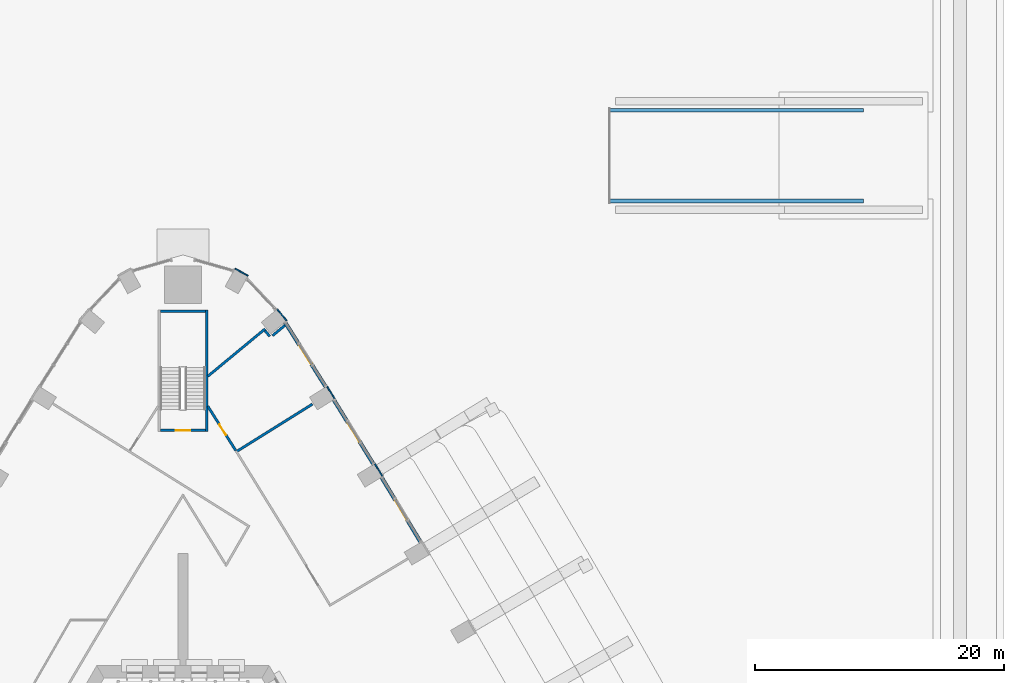
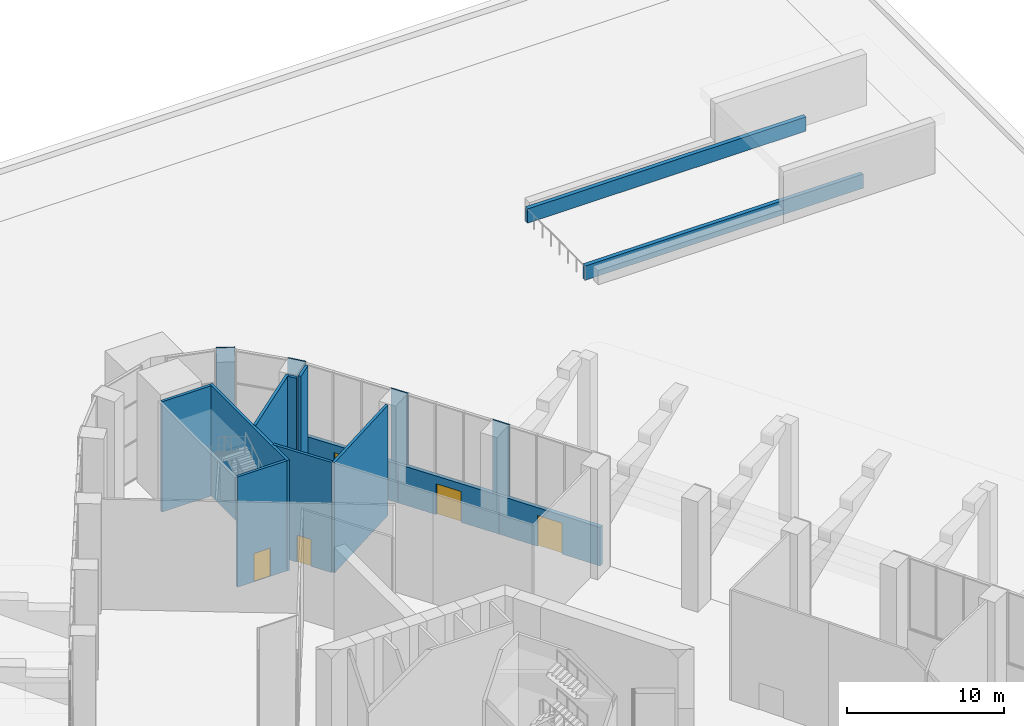
# One storey, part 20 of 36: 17 walls, 5 doors, 5 openings.
"""IFC4 building model written with IfcOpenShell, lengths in metres."""

from ifc_helpers import new_model, si_unit, direction, frame, frame_2d, origin, place, context, subcontext, project, spatial, rectangle, extrude, material, layer, layer_set, type_object, element, fill, save


model = new_model("IFC4")

# Units and contexts
model_context = context("Model", 3, precision=1e-05, world=origin(), true_north=direction((0.0, 1.0)))
body_context = subcontext(model_context, "Body", "Model", "MODEL_VIEW")
ifc_project = project(units=[si_unit("LENGTHUNIT", "METRE"), si_unit("AREAUNIT", "SQUARE_METRE"), si_unit("VOLUMEUNIT", "CUBIC_METRE"), si_unit("PLANEANGLEUNIT", "RADIAN"), si_unit("MASSUNIT", "GRAM", prefix="KILO")], contexts=[model_context])

# Site, building, storey
site_placement = place(None, origin())
site = spatial("IfcSite", under=ifc_project, at=site_placement, CompositionType="ELEMENT")
building_placement = place(site_placement, origin())
building = spatial("IfcBuilding", under=site, at=building_placement, Name="Entoto Arch Interchange Tower", CompositionType="ELEMENT")
storey_placement = place(building_placement, origin())
storey = spatial("IfcBuildingStorey", under=building, at=storey_placement, Name="L00", CompositionType="ELEMENT", Elevation=0.0)

# Walls
ifc_material_1 = material(Name="Concrete C40/50", Category="concrete")
ifc_layer_1 = layer(ifc_material_1, 0.300048828125)
ifc_layer_set_1 = layer_set([ifc_layer_1], Name="Concrete C40/50")
wall_type_1 = type_object("IfcWallType", Name="Car ramp kerb wall 300 C40/50", PredefinedType="SOLIDWALL", material=ifc_layer_set_1)
for number, where, z_axis, x_axis, name in (
    (1, (34.300048828125, 51.85009765625, 0.0), (0.0, 0.0, 1.0), (1.0, 0.0, 0.0), "Car ramp R1 parapet wall"),
    (2, (34.300048828125, 59.14990234375, 0.0), (0.0, 0.0, 1.0), (1.0, 0.0, 0.0), "Car ramp R1 parapet wall"),
):
    element("IfcWall", number, at=place(storey_placement, frame(where, z_axis=z_axis, x_axis=x_axis)), inside=storey, type_object=wall_type_1, Name=name, PredefinedType="SOLIDWALL", context=body_context, shape_type="SweptSolid", body=[
        extrude(rectangle(XDim=20.39990234375, YDim=0.300048828125, at=frame_2d((10.199951171875, 0.0))), origin(), (0.0, 0.0, 1.0), 1.10009765625),
    ])
ifc_material_2 = material(Name="Gypsum board partition on steel studs", Category="steel")
ifc_layer_2 = layer(ifc_material_2, 0.199951171875)
ifc_layer_set_2 = layer_set([ifc_layer_2], Name="Gypsum board partition on steel studs")
wall_type_2 = type_object("IfcWallType", Name="PARTITION 200", PredefinedType="PARTITIONING", material=ifc_layer_set_2)
wall_1_placement = place(storey_placement, frame((4.277099609375, 31.68603515625, 0.0), z_axis=(0.0, 0.0, 1.0), x_axis=(0.84795274353, 0.530071829793, 0.0)))
element("IfcWall", 3, at=wall_1_placement, inside=storey, type_object=wall_type_2, Name="wall:L00:p062", PredefinedType="PARTITIONING", context=body_context, shape_type="SweptSolid", body=[
    extrude(rectangle(XDim=7.2255859375, YDim=0.199951171875, at=frame_2d((3.61279296875, 0.0))), origin(), (0.0, 0.0, 1.0), 8.550048828125),
])
wall_2_placement = place(storey_placement, frame((2.0, 37.758056640625, 0.0), z_axis=(0.0, 0.0, 1.0), x_axis=(0.7702988792, 0.637683022122, 0.0)))
element("IfcWall", 4, at=wall_2_placement, inside=storey, type_object=wall_type_2, Name="wall:L00:p066", PredefinedType="PARTITIONING", context=body_context, shape_type="SweptSolid", body=[
    extrude(rectangle(XDim=5.9794921875, YDim=0.199951171875, at=frame_2d((2.98974609375, 0.0))), origin(), (0.0, 0.0, 1.0), 8.550048828125),
])
wall_3_placement = place(storey_placement, frame((6.593017578125, 41.429931640625, 0.0), z_axis=(0.0, 0.0, 1.0), x_axis=(0.636576557089, -0.771213515808, 0.0)))
element("IfcWall", 5, at=wall_3_placement, inside=storey, type_object=wall_type_2, Name="wall:L00:p067", PredefinedType="PARTITIONING", context=body_context, shape_type="SweptSolid", body=[
    extrude(rectangle(XDim=0.60009765625, YDim=0.199951171875, at=frame_2d((0.300048828125, 0.0))), origin(), (0.0, 0.0, 1.0), 8.550048828125),
])
wall_4_placement = place(storey_placement, frame((7.193115234375, 41.01806640625, 0.0), z_axis=(0.0, 0.0, 1.0), x_axis=(0.77046149962, 0.637486531311, 0.0)))
element("IfcWall", 6, at=wall_4_placement, inside=storey, type_object=wall_type_2, Name="wall:L00:p068", PredefinedType="PARTITIONING", context=body_context, shape_type="SweptSolid", body=[
    extrude(rectangle(XDim=1.29248046875, YDim=0.199951171875, at=frame_2d((0.646240234375, 0.0))), origin(), (0.0, 0.0, 1.0), 8.550048828125),
])

# Wall, opening, door
wall_5_placement = place(storey_placement, frame((4.2451171875, 31.783935546875, 0.0), z_axis=(0.0, 0.0, 1.0), x_axis=(-0.53321613186, 0.845979052178, 0.0)))
wall_5 = element("IfcWall", 7, at=wall_5_placement, inside=storey, type_object=wall_type_2, Name="wall:L00:p069", PredefinedType="PARTITIONING", context=body_context, shape_type="SweptSolid", body=[
    extrude(rectangle(XDim=4.21044921875, YDim=0.199951171875, at=frame_2d((2.105224609375, 0.0))), origin(), (0.0, 0.0, 1.0), 8.550048828125),
])
opening_1_placement = place(wall_5_placement, frame((1.48095703125, 0.0, 0.0)))
opening_1 = element("IfcOpeningElement", 8, at=opening_1_placement, cuts=wall_5, Name="Opening L00-D07", PredefinedType="OPENING", context=body_context, shape_type="SweptSolid", body=[
    extrude(rectangle(XDim=1.0, YDim=2.10009765625, at=frame_2d((0.5, 1.050048828125))), frame((0.0, 0.10986328125, 0.0), z_axis=(0.0, -1.0, 0.0), x_axis=(1.0, 0.0, 0.0)), (0.0, 0.0, 1.0), 0.219970703125),
])
ifc_material_3 = material(Name="Timber door leaf in Steel S235 frame", Category="steel")
door_type_1 = type_object("IfcDoorType", Name="DOOR DS-10 1000x2100", OperationType="SINGLE_SWING_LEFT", PredefinedType="DOOR", material=ifc_material_3)
door_1_placement = place(opening_1_placement, origin())
door_1 = element("IfcDoor", 9, at=door_1_placement, inside=storey, type_object=door_type_1, Name="door:L00:07", OperationType="SINGLE_SWING_LEFT", OverallHeight=2.10009765625, OverallWidth=1.0, PredefinedType="DOOR", context=body_context, shape_type="SweptSolid", body=[
    extrude(rectangle(XDim=1.0, YDim=2.10009765625, at=frame_2d((0.5, 1.050048828125))), frame((0.0, 0.02490234375, 0.0), z_axis=(0.0, -1.0, 0.0), x_axis=(1.0, 0.0, 0.0)), (0.0, 0.0, 1.0), 0.050048828125),
])
fill(opening_1, door_1)

# Wall
ifc_layer_3 = layer(ifc_material_1, 0.199951171875)
ifc_layer_set_3 = layer_set([ifc_layer_3], Name="Concrete C40/50")
wall_type_3 = type_object("IfcWallType", Name="STAIR ENCLOSURE WALL 200", PredefinedType="STANDARD", material=ifc_layer_set_3)
wall_6_placement = place(storey_placement, frame((1.89990234375, 33.300048828125, 0.0), z_axis=(0.0, 0.0, 1.0), x_axis=(0.0, 1.0, 0.0)))
element("IfcWall", 10, at=wall_6_placement, inside=storey, type_object=wall_type_3, Name="Stair wall PST-N left", PredefinedType="STANDARD", context=body_context, shape_type="SweptSolid", body=[
    extrude(rectangle(XDim=9.800048828125, YDim=0.199951171875, at=frame_2d((4.89990234375, 0.0))), origin(), (0.0, 0.0, 1.0), 8.550048828125),
])

# Wall, opening, door
wall_7_placement = place(storey_placement, frame((1.800048828125, 33.39990234375, 0.0), z_axis=(0.0, 0.0, 1.0), x_axis=(-1.0, 0.0, 0.0)))
wall_7 = element("IfcWall", 11, at=wall_7_placement, inside=storey, type_object=wall_type_3, Name="Stair wall PST-N near", PredefinedType="STANDARD", context=body_context, shape_type="SweptSolid", body=[
    extrude(rectangle(XDim=3.60009765625, YDim=0.199951171875, at=frame_2d((1.800048828125, 0.0))), origin(), (0.0, 0.0, 1.0), 8.550048828125),
])
opening_2_placement = place(wall_7_placement, frame((1.199951171875, 0.0, 0.0)))
opening_2 = element("IfcOpeningElement", 12, at=opening_2_placement, cuts=wall_7, Name="Opening SD-PST-N-L00", PredefinedType="OPENING", context=body_context, shape_type="SweptSolid", body=[
    extrude(rectangle(XDim=1.199951171875, YDim=2.199951171875, at=frame_2d((0.60009765625, 1.10009765625))), frame((0.0, 0.10986328125, 0.0), z_axis=(0.0, -1.0, 0.0), x_axis=(1.0, 0.0, 0.0)), (0.0, 0.0, 1.0), 0.219970703125),
])
ifc_material_4 = material(Name="Steel S235", Category="steel")
door_type_2 = type_object("IfcDoorType", Name="STAIR DOOR SD2 1200x2200", OperationType="SINGLE_SWING_LEFT", PredefinedType="DOOR", material=ifc_material_4)
door_2_placement = place(opening_2_placement, origin())
door_2 = element("IfcDoor", 13, at=door_2_placement, inside=storey, type_object=door_type_2, Name="Stair door PST-N L00", OperationType="SINGLE_SWING_LEFT", OverallHeight=2.199951171875, OverallWidth=1.199951171875, PredefinedType="DOOR", context=body_context, shape_type="SweptSolid", body=[
    extrude(rectangle(XDim=1.199951171875, YDim=2.199951171875, at=frame_2d((0.60009765625, 1.10009765625))), frame((0.0, 0.02490234375, 0.0), z_axis=(0.0, -1.0, 0.0), x_axis=(1.0, 0.0, 0.0)), (0.0, 0.0, 1.0), 0.050048828125),
])
fill(opening_2, door_2)

# Wall
wall_8_placement = place(storey_placement, frame((1.800048828125, 43.0, 0.0), z_axis=(0.0, 0.0, 1.0), x_axis=(-1.0, 0.0, 0.0)))
element("IfcWall", 14, at=wall_8_placement, inside=storey, type_object=wall_type_3, Name="Stair wall PST-N far", PredefinedType="STANDARD", context=body_context, shape_type="SweptSolid", body=[
    extrude(rectangle(XDim=3.60009765625, YDim=0.199951171875, at=frame_2d((1.800048828125, 0.0))), origin(), (0.0, 0.0, 1.0), 8.550048828125),
])

# Wall, opening, door
ifc_material_5 = material(Name="Welded tuff (ignimbrite) cladding, warm buff", Category="masonry")
ifc_layer_4 = layer(ifc_material_5, 0.300048828125)
ifc_layer_set_4 = layer_set([ifc_layer_4], Name="Welded tuff (ignimbrite) cladding, warm buff")
wall_type_4 = type_object("IfcWallType", Name="STONE INFILL WALL 300", PredefinedType="STANDARD", material=ifc_layer_set_4)
wall_9_placement = place(storey_placement, frame((15.64404296875, 30.160888671875, 0.0), z_axis=(0.0, 0.0, 1.0), x_axis=(0.516671289426, -0.856183846311, 0.0)))
wall_9 = element("IfcWall", 15, at=wall_9_placement, inside=storey, type_object=wall_type_4, Name="Entrance wall NE-07 L00", PredefinedType="STANDARD", context=body_context, shape_type="SweptSolid", body=[
    extrude(rectangle(XDim=7.32177734375, YDim=0.300048828125, at=frame_2d((3.660888671875, 0.0))), origin(), (0.0, 0.0, 1.0), 3.0),
])
opening_3_placement = place(wall_9_placement, frame((2.760986328125, 0.0, 0.0)))
opening_3 = element("IfcOpeningElement", 16, at=opening_3_placement, cuts=wall_9, Name="Opening DX-NE-07", PredefinedType="OPENING", context=body_context, shape_type="SweptSolid", body=[
    extrude(rectangle(XDim=1.800048828125, YDim=2.39990234375, at=frame_2d((0.89990234375, 1.199951171875))), frame((0.0, 0.16015625, 0.0), z_axis=(0.0, -1.0, 0.0), x_axis=(1.0, 0.0, 0.0)), (0.0, 0.0, 1.0), 0.320068359375),
])
ifc_material_6 = material(Name="Aluminium and clear glass, anodised", Category="aluminium")
door_type_3 = type_object("IfcDoorType", Name="EXIT DOOR DX 1800x2400", OperationType="DOUBLE_DOOR_SINGLE_SWING", PredefinedType="DOOR", material=ifc_material_6)
door_3_placement = place(opening_3_placement, origin())
door_3 = element("IfcDoor", 17, at=door_3_placement, inside=storey, type_object=door_type_3, Name="Exit door NE-07", OperationType="DOUBLE_DOOR_SINGLE_SWING", OverallHeight=2.39990234375, OverallWidth=1.800048828125, PredefinedType="DOOR", context=body_context, shape_type="SweptSolid", body=[
    extrude(rectangle(XDim=1.800048828125, YDim=2.39990234375, at=frame_2d((0.89990234375, 1.199951171875))), frame((0.0, 0.02490234375, 0.0), z_axis=(0.0, -1.0, 0.0), x_axis=(1.0, 0.0, 0.0)), (0.0, 0.0, 1.0), 0.050048828125),
])
fill(opening_3, door_3)

wall_10_placement = place(storey_placement, frame((11.802001953125, 36.39208984375, 0.0), z_axis=(0.0, 0.0, 1.0), x_axis=(0.524850464149, -0.851194449161, 0.0)))
wall_10 = element("IfcWall", 18, at=wall_10_placement, inside=storey, type_object=wall_type_4, Name="Entrance wall NE-08 L00", PredefinedType="STANDARD", context=body_context, shape_type="SweptSolid", body=[
    extrude(rectangle(XDim=7.323974609375, YDim=0.300048828125, at=frame_2d((3.662109375, 0.0))), origin(), (0.0, 0.0, 1.0), 3.0),
])
opening_4_placement = place(wall_10_placement, frame((2.761962890625, 0.0, 0.0)))
opening_4 = element("IfcOpeningElement", 19, at=opening_4_placement, cuts=wall_10, Name="Opening DX-NE-08", PredefinedType="OPENING", context=body_context, shape_type="SweptSolid", body=[
    extrude(rectangle(XDim=1.800048828125, YDim=2.39990234375, at=frame_2d((0.89990234375, 1.199951171875))), frame((0.0, 0.16015625, 0.0), z_axis=(0.0, -1.0, 0.0), x_axis=(1.0, 0.0, 0.0)), (0.0, 0.0, 1.0), 0.320068359375),
])
door_4_placement = place(opening_4_placement, origin())
door_4 = element("IfcDoor", 20, at=door_4_placement, inside=storey, type_object=door_type_3, Name="Exit door NE-08", OperationType="DOUBLE_DOOR_SINGLE_SWING", OverallHeight=2.39990234375, OverallWidth=1.800048828125, PredefinedType="DOOR", context=body_context, shape_type="SweptSolid", body=[
    extrude(rectangle(XDim=1.800048828125, YDim=2.39990234375, at=frame_2d((0.89990234375, 1.199951171875))), frame((0.0, 0.02490234375, 0.0), z_axis=(0.0, -1.0, 0.0), x_axis=(1.0, 0.0, 0.0)), (0.0, 0.0, 1.0), 0.050048828125),
])
fill(opening_4, door_4)

wall_11_placement = place(storey_placement, frame((7.864990234375, 42.638916015625, 0.0), z_axis=(0.0, 0.0, 1.0), x_axis=(0.533179592981, -0.846002081338, 0.0)))
wall_11 = element("IfcWall", 21, at=wall_11_placement, inside=storey, type_object=wall_type_4, Name="Entrance wall NE-09 L00", PredefinedType="STANDARD", context=body_context, shape_type="SweptSolid", body=[
    extrude(rectangle(XDim=7.3876953125, YDim=0.300048828125, at=frame_2d((3.69384765625, 0.0))), origin(), (0.0, 0.0, 1.0), 3.0),
])
opening_5_placement = place(wall_11_placement, frame((2.7939453125, 0.0, 0.0)))
opening_5 = element("IfcOpeningElement", 22, at=opening_5_placement, cuts=wall_11, Name="Opening DX-NE-09", PredefinedType="OPENING", context=body_context, shape_type="SweptSolid", body=[
    extrude(rectangle(XDim=1.800048828125, YDim=2.39990234375, at=frame_2d((0.89990234375, 1.199951171875))), frame((0.0, 0.16015625, 0.0), z_axis=(0.0, -1.0, 0.0), x_axis=(1.0, 0.0, 0.0)), (0.0, 0.0, 1.0), 0.320068359375),
])
door_5_placement = place(opening_5_placement, origin())
door_5 = element("IfcDoor", 23, at=door_5_placement, inside=storey, type_object=door_type_3, Name="Exit door NE-09", OperationType="DOUBLE_DOOR_SINGLE_SWING", OverallHeight=2.39990234375, OverallWidth=1.800048828125, PredefinedType="DOOR", context=body_context, shape_type="SweptSolid", body=[
    extrude(rectangle(XDim=1.800048828125, YDim=2.39990234375, at=frame_2d((0.89990234375, 1.199951171875))), frame((0.0, 0.02490234375, 0.0), z_axis=(0.0, -1.0, 0.0), x_axis=(1.0, 0.0, 0.0)), (0.0, 0.0, 1.0), 0.050048828125),
])
fill(opening_5, door_5)

# Walls
ifc_layer_5 = layer(ifc_material_5, 0.10009765625)
ifc_layer_set_5 = layer_set([ifc_layer_5], Name="Welded tuff (ignimbrite) cladding, warm buff")
wall_type_5 = type_object("IfcWallType", Name="STONE PIER CLADDING 100", PredefinedType="STANDARD", material=ifc_layer_set_5)
wall_12_placement = place(storey_placement, frame((5.23095703125, 45.8369140625, 0.0), z_axis=(0.0, 0.0, 1.0), x_axis=(-0.877069725045, 0.480363089141, 0.0)))
element("IfcWall", 24, at=wall_12_placement, inside=storey, type_object=wall_type_5, Name="Stone pier N1 L00", PredefinedType="STANDARD", context=body_context, shape_type="SweptSolid", body=[
    extrude(rectangle(XDim=1.199462890625, YDim=0.10009765625, at=frame_2d((0.599609375, 0.0))), origin(), (0.0, 0.0, 1.0), 8.550048828125),
])
wall_13_placement = place(storey_placement, frame((16.04296875, 29.699951171875, 0.0), z_axis=(0.0, 0.0, 1.0), x_axis=(-0.521507599072, 0.853246637327, 0.0)))
element("IfcWall", 25, at=wall_13_placement, inside=storey, type_object=wall_type_5, Name="Stone pier NE08 L00", PredefinedType="STANDARD", context=body_context, shape_type="SweptSolid", body=[
    extrude(rectangle(XDim=1.200439453125, YDim=0.10009765625, at=frame_2d((0.60009765625, 0.0))), origin(), (0.0, 0.0, 1.0), 8.550048828125),
])
for number, where, z_axis, x_axis, name in (
    (26, (12.2060546875, 35.93505859375, 0.0), (0.0, 0.0, 1.0), (-0.530273374944, 0.847826720401, 0.0), "Stone pier NE09 L00"),
    (27, (8.3359375, 42.22412109375, 0.0), (0.0, 0.0, 1.0), (-0.637738500874, 0.77025294839, 0.0), "Stone pier NE10 L00"),
):
    element("IfcWall", number, at=place(storey_placement, frame(where, z_axis=z_axis, x_axis=x_axis)), inside=storey, type_object=wall_type_5, Name=name, PredefinedType="STANDARD", context=body_context, shape_type="SweptSolid", body=[
        extrude(rectangle(XDim=1.199462890625, YDim=0.10009765625, at=frame_2d((0.599609375, 0.0))), origin(), (0.0, 0.0, 1.0), 8.550048828125),
    ])

save(model, "model.ifc")
